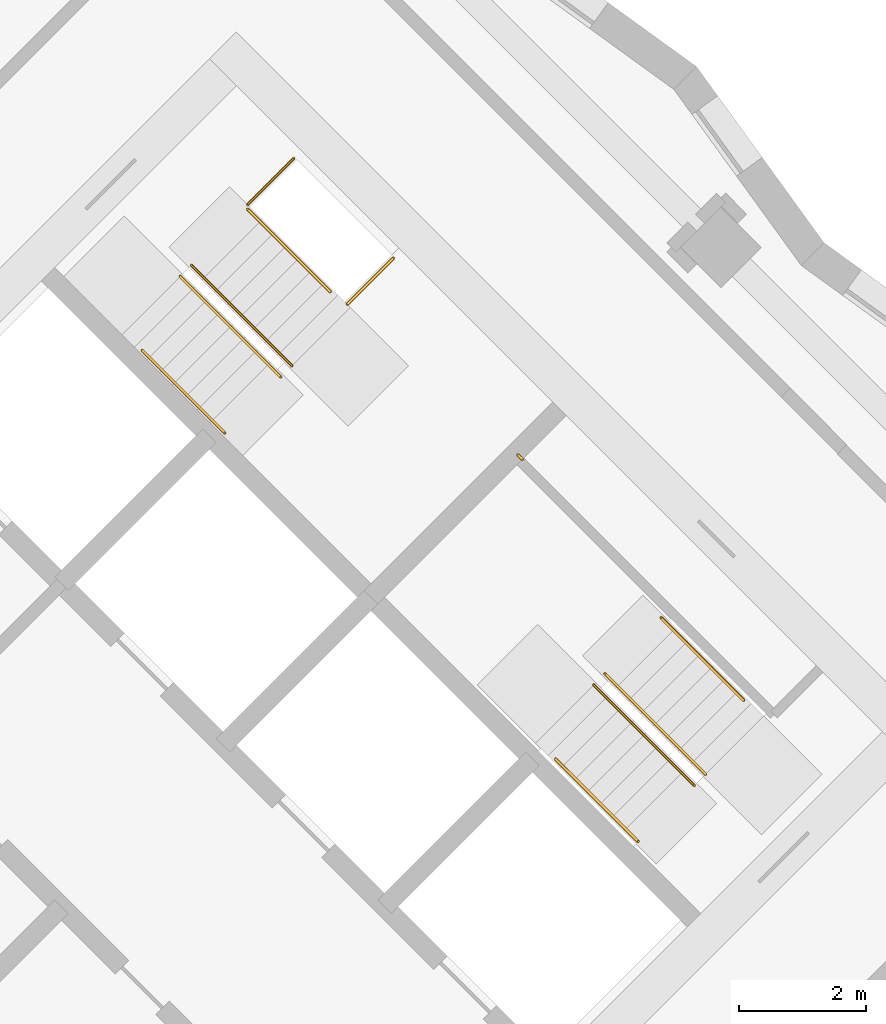
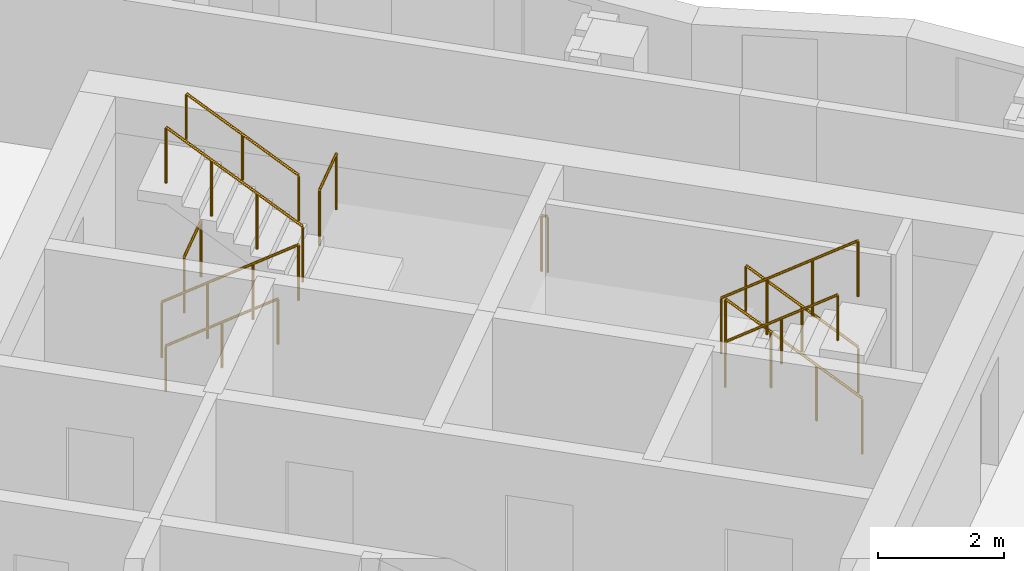
# One storey, part 12 of 12: 11 railings.
"""IFC4 building model written with IfcOpenShell, lengths in metres."""

import ifcopenshell
import ifcopenshell.guid

model = None  # the IFC model being written
_history = None  # IfcOwnerHistory: only IFC2X3 demands one
_inside = {}  # id of a spatial element -> (the spatial element, [elements in it])
_under = {}  # id of a project, library or spatial element -> (it, [spatial elements below it])
_declared = {}  # id of a project -> (the project, [libraries it declares])
_typed = {}  # id of a type object -> (the type object, [elements of that type])
_made_of = {}  # id of a material, layer set ... -> (it, [elements and type objects made of it])


def new_model(schema):
    """Start an empty IFC model of exactly this schema.

    Asked for "IFC4X3", IfcOpenShell would pick the latest addendum, in which some entities
    have other attributes; the version numbers below select the first issue.
    IFC2X3 requires an IfcOwnerHistory on every rooted entity: one is made here for all.
    """
    global model, _history
    if schema == "IFC4X3":
        model = ifcopenshell.file(schema_version=(4, 3, 0, 0))
    else:
        model = ifcopenshell.file(schema=schema)
    _inside.clear()
    _under.clear()
    _declared.clear()
    _typed.clear()
    _made_of.clear()
    _history = None
    if model.schema == "IFC2X3":
        org = make("IfcOrganization", Name="unknown")
        user = make(
            "IfcPersonAndOrganization",
            ThePerson=make("IfcPerson", FamilyName="unknown"),
            TheOrganization=org,
        )
        app = make(
            "IfcApplication",
            ApplicationDeveloper=org,
            Version="unknown",
            ApplicationFullName="unknown",
            ApplicationIdentifier="unknown",
        )
        _history = make(
            "IfcOwnerHistory",
            OwningUser=user,
            OwningApplication=app,
            ChangeAction="ADDED",
            CreationDate=0,
        )
    return model


def make(cls, **values):
    """One entity of the class cls with the attributes given. An attribute that is None is left unset."""
    return model.create_entity(
        cls, **{name: value for name, value in values.items() if value is not None}
    )


def rooted(cls, **values):
    """An entity with a GlobalId (a new one), such as an element, a storey or a relation."""
    return make(cls, GlobalId=ifcopenshell.guid.new(), OwnerHistory=_history, **values)


def si_unit(unit_type, name, prefix=None):
    """IfcSIUnit, for example si_unit("LENGTHUNIT", "METRE", prefix="MILLI")."""
    return make("IfcSIUnit", UnitType=unit_type, Prefix=prefix, Name=name)


def assignment(units):
    """IfcUnitAssignment: the units of a project."""
    return None if units is None else make("IfcUnitAssignment", Units=units)


def point(xyz):
    """IfcCartesianPoint."""
    return None if xyz is None else make("IfcCartesianPoint", Coordinates=xyz)


def direction(xyz):
    """IfcDirection."""
    return None if xyz is None else make("IfcDirection", DirectionRatios=xyz)


def frame(location, z_axis=None, x_axis=None):
    """IfcAxis2Placement3D, a coordinate frame: its origin and axes. An axis left out is left unset."""
    return make(
        "IfcAxis2Placement3D",
        Location=point(location),
        Axis=direction(z_axis),
        RefDirection=direction(x_axis),
    )


def frame_2d(location, x_axis=None):
    """IfcAxis2Placement2D, a coordinate frame in the plane: its origin and x axis."""
    return make(
        "IfcAxis2Placement2D", Location=point(location), RefDirection=direction(x_axis)
    )


def origin():
    """The frame at (0, 0, 0) with its axes left unset."""
    return frame((0.0, 0.0, 0.0))


def origin_2d():
    """The frame at (0, 0) in the plane with its x axis left unset."""
    return frame_2d((0.0, 0.0))


def place(relative_to, where):
    """IfcLocalPlacement: puts the frame where relative to a parent placement (None: the world)."""
    return make(
        "IfcLocalPlacement", PlacementRelTo=relative_to, RelativePlacement=where
    )


def context(
    kind, dimensions, precision=None, world=None, true_north=None, identifier=None
):
    """IfcGeometricRepresentationContext, for example the 3D "Model" context."""
    return make(
        "IfcGeometricRepresentationContext",
        ContextIdentifier=identifier,
        ContextType=kind,
        CoordinateSpaceDimension=dimensions,
        Precision=precision,
        WorldCoordinateSystem=world,
        TrueNorth=true_north,
    )


def subcontext(parent, identifier, kind, view, scale=None):
    """IfcGeometricRepresentationSubContext, for example "Body" below "Model"."""
    return make(
        "IfcGeometricRepresentationSubContext",
        ContextIdentifier=identifier,
        ContextType=kind,
        ParentContext=parent,
        TargetScale=scale,
        TargetView=view,
    )


def project(units=None, contexts=None):
    """IfcProject with its units and contexts."""
    return rooted(
        "IfcProject",
        Name="project",
        RepresentationContexts=contexts,
        UnitsInContext=assignment(units),
    )


def spatial(cls, under=None, at=None, **own):
    """A site, building, storey or space (cls), placed at a placement, below another one or the project."""
    s = rooted(cls, ObjectPlacement=at, **own)
    if under is not None:
        _under.setdefault(under.id(), (under, []))[1].append(s)
    return s


def profile(cls, at=None, kind="AREA", **sizes):
    """A parametric profile (cls). Its sizes go by their IFC names, for example OverallWidth=200.0."""
    return make(cls, ProfileType=kind, Position=at, **sizes)


def circle(**sizes):
    """IfcCircleProfileDef."""
    return profile("IfcCircleProfileDef", **sizes)


def extrude(swept, where, along, depth):
    """IfcExtrudedAreaSolid: the profile swept, set in the frame where, extruded along a direction by depth."""
    return make(
        "IfcExtrudedAreaSolid",
        SweptArea=swept,
        Position=where,
        ExtrudedDirection=direction(along),
        Depth=depth,
    )


def shape(context_of_items, identifier, shape_type, items):
    """IfcShapeRepresentation: the items that make up one representation, for example the "Body"."""
    return make(
        "IfcShapeRepresentation",
        ContextOfItems=context_of_items,
        RepresentationIdentifier=identifier,
        RepresentationType=shape_type,
        Items=items,
    )


def material(Name=None, Category=None):
    """IfcMaterial."""
    return make("IfcMaterial", Name=Name, Category=Category)


def made_of(thing, what):
    """Note that an element or type object is made of a material, layer set ...; save() writes the relation."""
    if what is not None:
        _made_of.setdefault(what.id(), (what, []))[1].append(thing)
    return thing


def type_object(cls, material=None, **own):
    """A type object (cls), such as IfcWallType, which elements share."""
    return made_of(rooted(cls, **own), material)


def element(
    cls,
    number,
    at=None,
    inside=None,
    cuts=None,
    type_object=None,
    material=None,
    context=None,
    identifier="Body",
    shape_type=None,
    held_by="IfcProductDefinitionShape",
    body=None,
    shapes=None,
    **own,
):
    """One element of the class cls, such as IfcWall. Its Tag is "e" and its number.

    at: its placement. inside: the storey or other place that contains it. cuts: it is an
    opening in that element (IfcRelVoidsElement). A single representation is given by context,
    identifier, shape_type and body (its items); several are given by shapes. held_by: the class
    of the entity that holds the representations. save() writes the other relations.
    """
    e = rooted(cls, Tag="e%d" % number, ObjectPlacement=at, **own)
    if body is not None:
        shapes = [shape(context, identifier, shape_type, body)]
    if shapes is not None:
        e.Representation = make(held_by, Representations=shapes)
    if inside is not None:
        _inside.setdefault(inside.id(), (inside, []))[1].append(e)
    if cuts is not None:
        rooted(
            "IfcRelVoidsElement", RelatingBuildingElement=cuts, RelatedOpeningElement=e
        )
    if type_object is not None:
        _typed.setdefault(type_object.id(), (type_object, []))[1].append(e)
    return made_of(e, material)


def aggregate(whole, parts):
    """IfcRelAggregates: a whole, such as a stair, and the parts it consists of."""
    return rooted("IfcRelAggregates", RelatingObject=whole, RelatedObjects=parts)


def save(model, path):
    """Write the relations noted so far, then the file.

    IfcRelAggregates (storeys below a building ...), IfcRelContainedInSpatialStructure (elements
    in a storey), IfcRelDefinesByType, IfcRelAssociatesMaterial and IfcRelDeclares: one each for
    every whole, place, type object, material and project.
    """
    for whole, parts in _under.values():
        aggregate(whole, parts)
    for where, things in _inside.values():
        rooted(
            "IfcRelContainedInSpatialStructure",
            RelatedElements=things,
            RelatingStructure=where,
        )
    for kind, things in _typed.values():
        rooted("IfcRelDefinesByType", RelatedObjects=things, RelatingType=kind)
    for what, things in _made_of.values():
        rooted("IfcRelAssociatesMaterial", RelatedObjects=things, RelatingMaterial=what)
    for by, libraries in _declared.values():
        rooted("IfcRelDeclares", RelatingContext=by, RelatedDefinitions=libraries)
    model.write(path)


model = new_model("IFC4")

# Units and contexts
model_context = context("Model", 3, precision=1e-05, world=origin(), true_north=direction((0.0, 1.0)))
body_context = subcontext(model_context, "Body", "Model", "MODEL_VIEW")
ifc_project = project(units=[si_unit("LENGTHUNIT", "METRE"), si_unit("AREAUNIT", "SQUARE_METRE"), si_unit("VOLUMEUNIT", "CUBIC_METRE"), si_unit("PLANEANGLEUNIT", "RADIAN"), si_unit("MASSUNIT", "GRAM", prefix="KILO")], contexts=[model_context])

# Site, building, storey
site_placement = place(None, origin())
site = spatial("IfcSite", under=ifc_project, at=site_placement, CompositionType="ELEMENT")
building_placement = place(site_placement, origin())
building = spatial("IfcBuilding", under=site, at=building_placement, Name="Windrow Commons", CompositionType="ELEMENT")
storey_placement = place(building_placement, frame((0.0, 0.0, 162.6)))
storey = spatial("IfcBuildingStorey", under=building, at=storey_placement, Name="L44", CompositionType="ELEMENT", Elevation=162.6)

# Railings
ifc_material_1 = material(Name="Steel S355", Category="steel")
railing_type_1 = type_object("IfcRailingType", Name="Core stair guard 1100", PredefinedType="GUARDRAIL", material=ifc_material_1)
railing_1_placement = place(storey_placement, frame((85.9529, 56.2669, 0.1889)))
element("IfcRailing", 1, at=railing_1_placement, inside=storey, type_object=railing_type_1, Name="L44 ST-B1 stair guard 1", PredefinedType="GUARDRAIL", context=body_context, shape_type="SweptSolid", body=[
    extrude(circle(Radius=0.024, at=origin_2d()), frame((0.0, 0.0, 1.076), z_axis=(0.5861914914, -0.5861914914, 0.5592486664), x_axis=(0.7071067812, 0.7071067812, 0.0)), (0.0, 0.0, 1.0), 2.702),
    extrude(circle(Radius=0.021, at=origin_2d()), origin(), (0.0, 0.0, 1.0), 1.052),
    extrude(circle(Radius=0.021, at=origin_2d()), frame((0.528, -0.528, 0.5037)), (0.0, 0.0, 1.0), 1.052),
    extrude(circle(Radius=0.021, at=origin_2d()), frame((1.0559, -1.0559, 1.0074)), (0.0, 0.0, 1.0), 1.052),
    extrude(circle(Radius=0.021, at=origin_2d()), frame((1.5839, -1.5839, 1.5111)), (0.0, 0.0, 1.0), 1.052),
])
railing_2_placement = place(storey_placement, frame((87.7136, 54.8597, 1.8889)))
element("IfcRailing", 2, at=railing_2_placement, inside=storey, type_object=railing_type_1, Name="L44 ST-B1 stair guard 2", PredefinedType="GUARDRAIL", context=body_context, shape_type="SweptSolid", body=[
    extrude(circle(Radius=0.024, at=origin_2d()), frame((0.0, 0.0, 1.076), z_axis=(-0.5862030657, 0.5862030657, 0.5592244018), x_axis=(-0.7071067812, -0.7071067812, 0.0)), (0.0, 0.0, 1.0), 2.7021),
    extrude(circle(Radius=0.021, at=origin_2d()), origin(), (0.0, 0.0, 1.0), 1.052),
    extrude(circle(Radius=0.021, at=origin_2d()), frame((-0.528, 0.528, 0.5037)), (0.0, 0.0, 1.0), 1.052),
    extrude(circle(Radius=0.021, at=origin_2d()), frame((-1.056, 1.056, 1.0074)), (0.0, 0.0, 1.0), 1.052),
    extrude(circle(Radius=0.021, at=origin_2d()), frame((-1.584, 1.584, 1.5111)), (0.0, 0.0, 1.0), 1.052),
])
railing_3_placement = place(storey_placement, frame((87.0135, 57.3982, 0.0)))
element("IfcRailing", 3, at=railing_3_placement, inside=storey, type_object=railing_type_1, Name="L44 ST-B1 stair guard 3", PredefinedType="GUARDRAIL", context=body_context, shape_type="SweptSolid", body=[
    extrude(circle(Radius=0.024, at=origin_2d()), frame((0.0, 0.0, 1.076), z_axis=(0.7070582378, 0.7071553212, 0.0), x_axis=(-0.7071553212, 0.7070582378, 0.0)), (0.0, 0.0, 1.0), 1.03),
    extrude(circle(Radius=0.021, at=origin_2d()), origin(), (0.0, 0.0, 1.0), 1.052),
    extrude(circle(Radius=0.021, at=origin_2d()), frame((0.7283, 0.7284, 0.0)), (0.0, 0.0, 1.0), 1.052),
])
railing_4_placement = place(storey_placement, frame((88.5833, 55.8285, 1.7)))
element("IfcRailing", 4, at=railing_4_placement, inside=storey, type_object=railing_type_1, Name="L44 ST-B1 stair guard 4", PredefinedType="GUARDRAIL", context=body_context, shape_type="SweptSolid", body=[
    extrude(circle(Radius=0.024, at=origin_2d()), frame((0.0, 0.0, 1.076), z_axis=(0.7071067812, 0.7071067812, 0.0), x_axis=(-0.7071067812, 0.7071067812, 0.0)), (0.0, 0.0, 1.0), 1.03),
    extrude(circle(Radius=0.021, at=origin_2d()), origin(), (0.0, 0.0, 1.0), 1.052),
    extrude(circle(Radius=0.021, at=origin_2d()), frame((0.7283, 0.7283, 0.0)), (0.0, 0.0, 1.0), 1.052),
])
railing_5_placement = place(storey_placement, frame((94.2296, 48.4215, 0.1889)))
element("IfcRailing", 5, at=railing_5_placement, inside=storey, type_object=railing_type_1, Name="L44 ST-B2 stair guard 1", PredefinedType="GUARDRAIL", context=body_context, shape_type="SweptSolid", body=[
    extrude(circle(Radius=0.024, at=origin_2d()), frame((0.0, 0.0, 1.076), z_axis=(-0.5862157828, 0.5861787742, 0.5592365337), x_axis=(-0.7070844598, -0.7071291018, 0.0)), (0.0, 0.0, 1.0), 2.7021),
    extrude(circle(Radius=0.021, at=origin_2d()), origin(), (0.0, 0.0, 1.0), 1.052),
    extrude(circle(Radius=0.021, at=origin_2d()), frame((-0.528, 0.528, 0.5037)), (0.0, 0.0, 1.0), 1.052),
    extrude(circle(Radius=0.021, at=origin_2d()), frame((-1.056, 1.0559, 1.0074)), (0.0, 0.0, 1.0), 1.052),
    extrude(circle(Radius=0.021, at=origin_2d()), frame((-1.584, 1.5839, 1.5111)), (0.0, 0.0, 1.0), 1.052),
])
railing_6_placement = place(storey_placement, frame((92.4689, 49.8287, 1.8889)))
element("IfcRailing", 6, at=railing_6_placement, inside=storey, type_object=railing_type_1, Name="L44 ST-B2 stair guard 2", PredefinedType="GUARDRAIL", context=body_context, shape_type="SweptSolid", body=[
    extrude(circle(Radius=0.024, at=origin_2d()), frame((0.0, 0.0, 1.076), z_axis=(0.5861787742, -0.5862157828, 0.5592365337), x_axis=(0.7071291018, 0.7070844598, 0.0)), (0.0, 0.0, 1.0), 2.7021),
    extrude(circle(Radius=0.021, at=origin_2d()), origin(), (0.0, 0.0, 1.0), 1.052),
    extrude(circle(Radius=0.021, at=origin_2d()), frame((0.528, -0.528, 0.5037)), (0.0, 0.0, 1.0), 1.052),
    extrude(circle(Radius=0.021, at=origin_2d()), frame((1.0559, -1.056, 1.0074)), (0.0, 0.0, 1.0), 1.052),
    extrude(circle(Radius=0.021, at=origin_2d()), frame((1.5839, -1.584, 1.5111)), (0.0, 0.0, 1.0), 1.052),
])
railing_7_placement = place(storey_placement, frame((91.3446, 53.3854, 1.7)))
element("IfcRailing", 7, at=railing_7_placement, inside=storey, type_object=railing_type_1, Name="L44 ST-B2 stair guard 3", PredefinedType="GUARDRAIL", context=body_context, shape_type="SweptSolid", body=[
    extrude(circle(Radius=0.024, at=origin_2d()), frame((0.0, 0.0, 1.076), z_axis=(-0.7076063266, 0.7066068826, 0.0), x_axis=(-0.7066068826, -0.7076063266, 0.0)), (0.0, 0.0, 1.0), 0.1001),
    extrude(circle(Radius=0.021, at=origin_2d()), origin(), (0.0, 0.0, 1.0), 1.052),
    extrude(circle(Radius=0.021, at=origin_2d()), frame((-0.0708, 0.0707, 0.0)), (0.0, 0.0, 1.0), 1.052),
])
ifc_material_2 = material(Name="Steel S355", Category="steel")
railing_type_2 = type_object("IfcRailingType", Name="Core stair handrail 900", PredefinedType="HANDRAIL", material=ifc_material_2)
railing_8_placement = place(storey_placement, frame((85.3518, 55.1001, 0.4587)))
element("IfcRailing", 8, at=railing_8_placement, inside=storey, type_object=railing_type_2, Name="L44 ST-B1 stair handrail 1", PredefinedType="HANDRAIL", context=body_context, shape_type="SweptSolid", body=[
    extrude(circle(Radius=0.024, at=origin_2d()), frame((0.0, 0.0, 0.876), z_axis=(0.586206706, -0.5861616513, 0.5592639952), x_axis=(0.7070796062, 0.7071339551, 0.0)), (0.0, 0.0, 1.0), 2.2195),
    extrude(circle(Radius=0.021, at=origin_2d()), origin(), (0.0, 0.0, 1.0), 0.852),
    extrude(circle(Radius=0.021, at=origin_2d()), frame((0.6506, -0.6505, 0.6207)), (0.0, 0.0, 1.0), 0.852),
    extrude(circle(Radius=0.021, at=origin_2d()), frame((1.3011, -1.301, 1.2413)), (0.0, 0.0, 1.0), 0.852),
])
railing_9_placement = place(storey_placement, frame((88.3146, 56.0265, 2.1587)))
element("IfcRailing", 9, at=railing_9_placement, inside=storey, type_object=railing_type_2, Name="L44 ST-B1 stair handrail 2", PredefinedType="HANDRAIL", context=body_context, shape_type="SweptSolid", body=[
    extrude(circle(Radius=0.024, at=origin_2d()), frame((0.0, 0.0, 0.876), z_axis=(-0.586206706, 0.5861616513, 0.5592639952), x_axis=(-0.7070796062, -0.7071339551, 0.0)), (0.0, 0.0, 1.0), 2.2195),
    extrude(circle(Radius=0.021, at=origin_2d()), origin(), (0.0, 0.0, 1.0), 0.852),
    extrude(circle(Radius=0.021, at=origin_2d()), frame((-0.6506, 0.6505, 0.6206)), (0.0, 0.0, 1.0), 0.852),
    extrude(circle(Radius=0.021, at=origin_2d()), frame((-1.3011, 1.301, 1.2413)), (0.0, 0.0, 1.0), 0.852),
])
railing_10_placement = place(storey_placement, frame((94.8306, 49.5883, 0.4587)))
element("IfcRailing", 10, at=railing_10_placement, inside=storey, type_object=railing_type_2, Name="L44 ST-B2 stair handrail 1", PredefinedType="HANDRAIL", context=body_context, shape_type="SweptSolid", body=[
    extrude(circle(Radius=0.024, at=origin_2d()), frame((0.0, 0.0, 0.876), z_axis=(-0.586206706, 0.5861616513, 0.5592639952), x_axis=(-0.7070796062, -0.7071339551, 0.0)), (0.0, 0.0, 1.0), 2.2195),
    extrude(circle(Radius=0.021, at=origin_2d()), origin(), (0.0, 0.0, 1.0), 0.852),
    extrude(circle(Radius=0.021, at=origin_2d()), frame((-0.6506, 0.6505, 0.6207)), (0.0, 0.0, 1.0), 0.852),
    extrude(circle(Radius=0.021, at=origin_2d()), frame((-1.3011, 1.301, 1.2413)), (0.0, 0.0, 1.0), 0.852),
])
railing_11_placement = place(storey_placement, frame((91.8678, 48.6619, 2.1587)))
element("IfcRailing", 11, at=railing_11_placement, inside=storey, type_object=railing_type_2, Name="L44 ST-B2 stair handrail 2", PredefinedType="HANDRAIL", context=body_context, shape_type="SweptSolid", body=[
    extrude(circle(Radius=0.024, at=origin_2d()), frame((0.0, 0.0, 0.876), z_axis=(0.586206706, -0.5861616513, 0.5592639952), x_axis=(0.7070796062, 0.7071339551, 0.0)), (0.0, 0.0, 1.0), 2.2195),
    extrude(circle(Radius=0.021, at=origin_2d()), origin(), (0.0, 0.0, 1.0), 0.852),
    extrude(circle(Radius=0.021, at=origin_2d()), frame((0.6505, -0.6505, 0.6206)), (0.0, 0.0, 1.0), 0.852),
    extrude(circle(Radius=0.021, at=origin_2d()), frame((1.3011, -1.301, 1.2413)), (0.0, 0.0, 1.0), 0.852),
])

save(model, "model.ifc")
